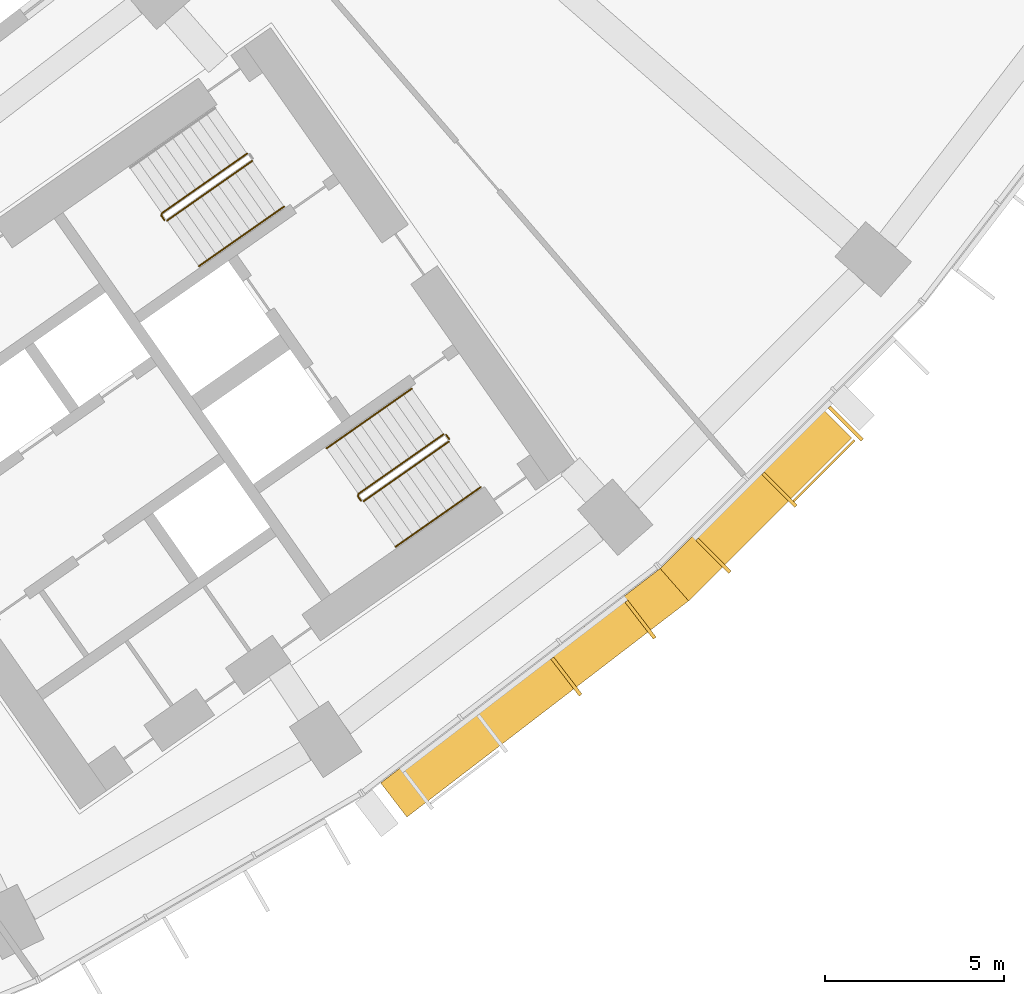
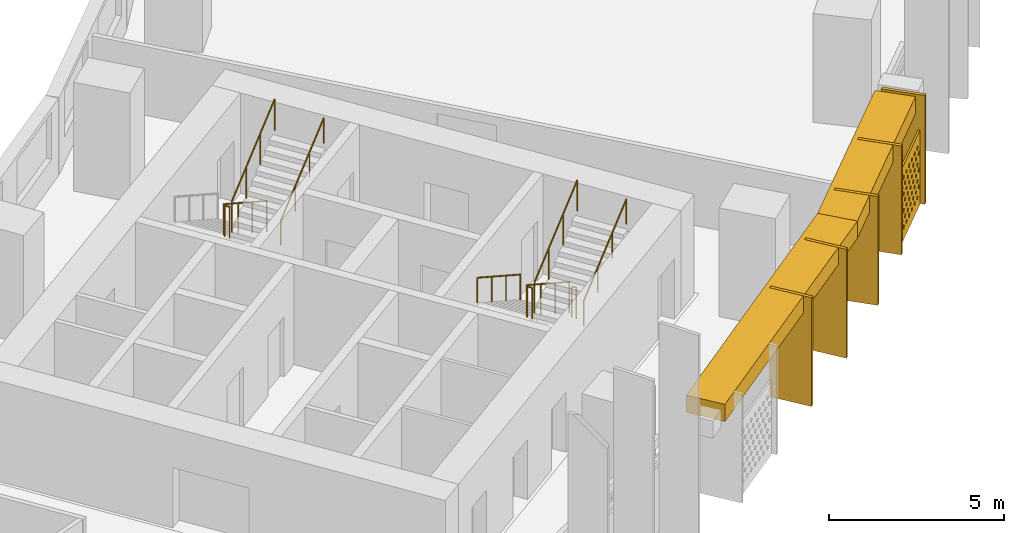
# One storey, part 30 of 31: 8 railings, 8 shading devices.
"""IFC4 building model written with IfcOpenShell, lengths in metres."""

from ifc_helpers import new_model, si_unit, direction, frame, origin, origin_2d, place, context, subcontext, project, spatial, polyline, rectangle, circle, outline, extrude, material, material_profile, profile_set, type_object, element, save


model = new_model("IFC4")

# Units and contexts
model_context = context("Model", 3, precision=1e-05, world=origin(), true_north=direction((0.0, 1.0)))
body_context = subcontext(model_context, "Body", "Model", "MODEL_VIEW")
ifc_project = project(units=[si_unit("LENGTHUNIT", "METRE"), si_unit("AREAUNIT", "SQUARE_METRE"), si_unit("VOLUMEUNIT", "CUBIC_METRE"), si_unit("PLANEANGLEUNIT", "RADIAN"), si_unit("MASSUNIT", "GRAM", prefix="KILO")], contexts=[model_context])

# Site, building, storey
site_placement = place(None, origin())
site = spatial("IfcSite", under=ifc_project, at=site_placement, CompositionType="ELEMENT")
building_placement = place(site_placement, origin())
building = spatial("IfcBuilding", under=site, at=building_placement, Name="Qamariyya Broadcast Tower", CompositionType="ELEMENT")
storey_placement = place(building_placement, frame((0.0, 0.0, 55.699951171875)))
storey = spatial("IfcBuildingStorey", under=building, at=storey_placement, Name="L10", CompositionType="ELEMENT", Elevation=55.699951171875)

# Shading devices
ifc_material_1 = material(Name="Steel S355 powder coated deep red", Category="steel")
shading_device_type_1 = type_object("IfcShadingDeviceType", Name="Deep red frame, powder coated steel box section", PredefinedType="USERDEFINED", material=ifc_material_1)
shading_device_1_placement = place(storey_placement, frame((0.0, 0.0, 3.199951171875)))
element("IfcShadingDevice", 1, at=shading_device_1_placement, inside=storey, type_object=shading_device_type_1, Name="e-frm-B1-F5-bot0", ObjectType="FRAME", PredefinedType="USERDEFINED", context=body_context, shape_type="SweptSolid", body=[
    extrude(outline(polyline([(44.727294921875, -65.861328125), (45.457763671875, -66.813232421875), (53.309814453125, -60.7880859375), (52.516845703125, -59.884033203125), (44.727294921875, -65.861328125)])), origin(), (0.0, 0.0, 1.0), 0.60009765625),
])
shading_device_2_placement = place(storey_placement, frame((0.0, 0.0, 3.199951171875)))
element("IfcShadingDevice", 2, at=shading_device_2_placement, inside=storey, type_object=shading_device_type_1, Name="e-frm-B1-F5-bot1", ObjectType="FRAME", PredefinedType="USERDEFINED", context=body_context, shape_type="SweptSolid", body=[
    extrude(outline(polyline([(52.516845703125, -59.884033203125), (53.309814453125, -60.7880859375), (57.8525390625, -56.245361328125), (57.004150390625, -55.39697265625), (52.516845703125, -59.884033203125)])), origin(), (0.0, 0.0, 1.0), 0.60009765625),
])
ifc_material_2 = material(Name="Perforated glazed terracotta", Category="masonry")
ifc_material_profile_1 = material_profile(ifc_material_2, outline(polyline([(-1.199951171875, -1.300048828125), (1.199951171875, -1.300048828125), (1.199951171875, 1.300048828125), (-1.199951171875, 1.300048828125), (-1.199951171875, -1.300048828125)]), holes=[polyline([(-0.81494140625, -0.86669921875), (-0.89990234375, -0.78173828125), (-0.985107421875, -0.86669921875), (-0.89990234375, -0.95166015625), (-0.81494140625, -0.86669921875)]), polyline([(-0.514892578125, -0.86669921875), (-0.60009765625, -0.78173828125), (-0.68505859375, -0.86669921875), (-0.60009765625, -0.95166015625), (-0.514892578125, -0.86669921875)]), polyline([(-0.215087890625, -0.86669921875), (-0.300048828125, -0.78173828125), (-0.385009765625, -0.86669921875), (-0.300048828125, -0.95166015625), (-0.215087890625, -0.86669921875)]), polyline([(0.0849609375, -0.86669921875), (0.0, -0.78173828125), (-0.0849609375, -0.86669921875), (0.0, -0.95166015625), (0.0849609375, -0.86669921875)]), polyline([(0.385009765625, -0.86669921875), (0.300048828125, -0.78173828125), (0.215087890625, -0.86669921875), (0.300048828125, -0.95166015625), (0.385009765625, -0.86669921875)]), polyline([(0.68505859375, -0.86669921875), (0.60009765625, -0.78173828125), (0.514892578125, -0.86669921875), (0.60009765625, -0.95166015625), (0.68505859375, -0.86669921875)]), polyline([(0.985107421875, -0.86669921875), (0.89990234375, -0.78173828125), (0.81494140625, -0.86669921875), (0.89990234375, -0.95166015625), (0.985107421875, -0.86669921875)]), polyline([(-0.965087890625, -0.577880859375), (-1.050048828125, -0.49267578125), (-1.135009765625, -0.577880859375), (-1.050048828125, -0.662841796875), (-0.965087890625, -0.577880859375)]), polyline([(-0.6650390625, -0.577880859375), (-0.75, -0.49267578125), (-0.8349609375, -0.577880859375), (-0.75, -0.662841796875), (-0.6650390625, -0.577880859375)]), polyline([(-0.364990234375, -0.577880859375), (-0.449951171875, -0.49267578125), (-0.534912109375, -0.577880859375), (-0.449951171875, -0.662841796875), (-0.364990234375, -0.577880859375)]), polyline([(-0.06494140625, -0.577880859375), (-0.14990234375, -0.49267578125), (-0.235107421875, -0.577880859375), (-0.14990234375, -0.662841796875), (-0.06494140625, -0.577880859375)]), polyline([(0.235107421875, -0.577880859375), (0.14990234375, -0.49267578125), (0.06494140625, -0.577880859375), (0.14990234375, -0.662841796875), (0.235107421875, -0.577880859375)]), polyline([(0.534912109375, -0.577880859375), (0.449951171875, -0.49267578125), (0.364990234375, -0.577880859375), (0.449951171875, -0.662841796875), (0.534912109375, -0.577880859375)]), polyline([(0.8349609375, -0.577880859375), (0.75, -0.49267578125), (0.6650390625, -0.577880859375), (0.75, -0.662841796875), (0.8349609375, -0.577880859375)]), polyline([(1.135009765625, -0.577880859375), (1.050048828125, -0.49267578125), (0.965087890625, -0.577880859375), (1.050048828125, -0.662841796875), (1.135009765625, -0.577880859375)]), polyline([(-0.81494140625, -0.288818359375), (-0.89990234375, -0.203857421875), (-0.985107421875, -0.288818359375), (-0.89990234375, -0.373779296875), (-0.81494140625, -0.288818359375)]), polyline([(-0.514892578125, -0.288818359375), (-0.60009765625, -0.203857421875), (-0.68505859375, -0.288818359375), (-0.60009765625, -0.373779296875), (-0.514892578125, -0.288818359375)]), polyline([(-0.215087890625, -0.288818359375), (-0.300048828125, -0.203857421875), (-0.385009765625, -0.288818359375), (-0.300048828125, -0.373779296875), (-0.215087890625, -0.288818359375)]), polyline([(0.0849609375, -0.288818359375), (0.0, -0.203857421875), (-0.0849609375, -0.288818359375), (0.0, -0.373779296875), (0.0849609375, -0.288818359375)]), polyline([(0.385009765625, -0.288818359375), (0.300048828125, -0.203857421875), (0.215087890625, -0.288818359375), (0.300048828125, -0.373779296875), (0.385009765625, -0.288818359375)]), polyline([(0.68505859375, -0.288818359375), (0.60009765625, -0.203857421875), (0.514892578125, -0.288818359375), (0.60009765625, -0.373779296875), (0.68505859375, -0.288818359375)]), polyline([(0.985107421875, -0.288818359375), (0.89990234375, -0.203857421875), (0.81494140625, -0.288818359375), (0.89990234375, -0.373779296875), (0.985107421875, -0.288818359375)]), polyline([(-0.965087890625, 0.0), (-1.050048828125, 0.0849609375), (-1.135009765625, 0.0), (-1.050048828125, -0.0849609375), (-0.965087890625, 0.0)]), polyline([(-0.6650390625, 0.0), (-0.75, 0.0849609375), (-0.8349609375, 0.0), (-0.75, -0.0849609375), (-0.6650390625, 0.0)]), polyline([(-0.364990234375, 0.0), (-0.449951171875, 0.0849609375), (-0.534912109375, 0.0), (-0.449951171875, -0.0849609375), (-0.364990234375, 0.0)]), polyline([(-0.06494140625, 0.0), (-0.14990234375, 0.0849609375), (-0.235107421875, 0.0), (-0.14990234375, -0.0849609375), (-0.06494140625, 0.0)]), polyline([(0.235107421875, 0.0), (0.14990234375, 0.0849609375), (0.06494140625, 0.0), (0.14990234375, -0.0849609375), (0.235107421875, 0.0)]), polyline([(0.534912109375, 0.0), (0.449951171875, 0.0849609375), (0.364990234375, 0.0), (0.449951171875, -0.0849609375), (0.534912109375, 0.0)]), polyline([(0.8349609375, 0.0), (0.75, 0.0849609375), (0.6650390625, 0.0), (0.75, -0.0849609375), (0.8349609375, 0.0)]), polyline([(1.135009765625, 0.0), (1.050048828125, 0.0849609375), (0.965087890625, 0.0), (1.050048828125, -0.0849609375), (1.135009765625, 0.0)]), polyline([(-0.81494140625, 0.288818359375), (-0.89990234375, 0.373779296875), (-0.985107421875, 0.288818359375), (-0.89990234375, 0.203857421875), (-0.81494140625, 0.288818359375)]), polyline([(-0.514892578125, 0.288818359375), (-0.60009765625, 0.373779296875), (-0.68505859375, 0.288818359375), (-0.60009765625, 0.203857421875), (-0.514892578125, 0.288818359375)]), polyline([(-0.215087890625, 0.288818359375), (-0.300048828125, 0.373779296875), (-0.385009765625, 0.288818359375), (-0.300048828125, 0.203857421875), (-0.215087890625, 0.288818359375)]), polyline([(0.0849609375, 0.288818359375), (0.0, 0.373779296875), (-0.0849609375, 0.288818359375), (0.0, 0.203857421875), (0.0849609375, 0.288818359375)]), polyline([(0.385009765625, 0.288818359375), (0.300048828125, 0.373779296875), (0.215087890625, 0.288818359375), (0.300048828125, 0.203857421875), (0.385009765625, 0.288818359375)]), polyline([(0.68505859375, 0.288818359375), (0.60009765625, 0.373779296875), (0.514892578125, 0.288818359375), (0.60009765625, 0.203857421875), (0.68505859375, 0.288818359375)]), polyline([(0.985107421875, 0.288818359375), (0.89990234375, 0.373779296875), (0.81494140625, 0.288818359375), (0.89990234375, 0.203857421875), (0.985107421875, 0.288818359375)]), polyline([(-0.965087890625, 0.577880859375), (-1.050048828125, 0.662841796875), (-1.135009765625, 0.577880859375), (-1.050048828125, 0.49267578125), (-0.965087890625, 0.577880859375)]), polyline([(-0.6650390625, 0.577880859375), (-0.75, 0.662841796875), (-0.8349609375, 0.577880859375), (-0.75, 0.49267578125), (-0.6650390625, 0.577880859375)]), polyline([(-0.364990234375, 0.577880859375), (-0.449951171875, 0.662841796875), (-0.534912109375, 0.577880859375), (-0.449951171875, 0.49267578125), (-0.364990234375, 0.577880859375)]), polyline([(-0.06494140625, 0.577880859375), (-0.14990234375, 0.662841796875), (-0.235107421875, 0.577880859375), (-0.14990234375, 0.49267578125), (-0.06494140625, 0.577880859375)]), polyline([(0.235107421875, 0.577880859375), (0.14990234375, 0.662841796875), (0.06494140625, 0.577880859375), (0.14990234375, 0.49267578125), (0.235107421875, 0.577880859375)]), polyline([(0.534912109375, 0.577880859375), (0.449951171875, 0.662841796875), (0.364990234375, 0.577880859375), (0.449951171875, 0.49267578125), (0.534912109375, 0.577880859375)]), polyline([(0.8349609375, 0.577880859375), (0.75, 0.662841796875), (0.6650390625, 0.577880859375), (0.75, 0.49267578125), (0.8349609375, 0.577880859375)]), polyline([(1.135009765625, 0.577880859375), (1.050048828125, 0.662841796875), (0.965087890625, 0.577880859375), (1.050048828125, 0.49267578125), (1.135009765625, 0.577880859375)]), polyline([(-0.81494140625, 0.86669921875), (-0.89990234375, 0.95166015625), (-0.985107421875, 0.86669921875), (-0.89990234375, 0.78173828125), (-0.81494140625, 0.86669921875)]), polyline([(-0.514892578125, 0.86669921875), (-0.60009765625, 0.95166015625), (-0.68505859375, 0.86669921875), (-0.60009765625, 0.78173828125), (-0.514892578125, 0.86669921875)]), polyline([(-0.215087890625, 0.86669921875), (-0.300048828125, 0.95166015625), (-0.385009765625, 0.86669921875), (-0.300048828125, 0.78173828125), (-0.215087890625, 0.86669921875)]), polyline([(0.0849609375, 0.86669921875), (0.0, 0.95166015625), (-0.0849609375, 0.86669921875), (0.0, 0.78173828125), (0.0849609375, 0.86669921875)]), polyline([(0.385009765625, 0.86669921875), (0.300048828125, 0.95166015625), (0.215087890625, 0.86669921875), (0.300048828125, 0.78173828125), (0.385009765625, 0.86669921875)]), polyline([(0.68505859375, 0.86669921875), (0.60009765625, 0.95166015625), (0.514892578125, 0.86669921875), (0.60009765625, 0.78173828125), (0.68505859375, 0.86669921875)]), polyline([(0.985107421875, 0.86669921875), (0.89990234375, 0.95166015625), (0.81494140625, 0.86669921875), (0.89990234375, 0.78173828125), (0.985107421875, 0.86669921875)])]))
ifc_profile_set_1 = profile_set([ifc_material_profile_1], Name="Perforated glazed terracotta")
shading_device_type_2 = type_object("IfcShadingDeviceType", Name="Perforated terracotta screen 2400 x 2600", PredefinedType="USERDEFINED", material=ifc_profile_set_1)
shading_device_3_placement = place(storey_placement, frame((57.0615234375, -57.135498046875, 1.35009765625), z_axis=(0.707106781187, -0.707106781187, 0.0), x_axis=(0.707106781187, 0.707106781187, 0.0)))
element("IfcShadingDevice", 3, at=shading_device_3_placement, inside=storey, type_object=shading_device_type_2, Name="e-scr-L10-14-1", ObjectType="SCREEN", PredefinedType="USERDEFINED", context=body_context, shape_type="SweptSolid", body=[
    extrude(outline(polyline([(-1.199951171875, -1.300048828125), (1.199951171875, -1.300048828125), (1.199951171875, 1.300048828125), (-1.199951171875, 1.300048828125), (-1.199951171875, -1.300048828125)]), holes=[polyline([(-0.81494140625, -0.86669921875), (-0.89990234375, -0.78173828125), (-0.985107421875, -0.86669921875), (-0.89990234375, -0.95166015625), (-0.81494140625, -0.86669921875)]), polyline([(-0.514892578125, -0.86669921875), (-0.60009765625, -0.78173828125), (-0.68505859375, -0.86669921875), (-0.60009765625, -0.95166015625), (-0.514892578125, -0.86669921875)]), polyline([(-0.215087890625, -0.86669921875), (-0.300048828125, -0.78173828125), (-0.385009765625, -0.86669921875), (-0.300048828125, -0.95166015625), (-0.215087890625, -0.86669921875)]), polyline([(0.0849609375, -0.86669921875), (0.0, -0.78173828125), (-0.0849609375, -0.86669921875), (0.0, -0.95166015625), (0.0849609375, -0.86669921875)]), polyline([(0.385009765625, -0.86669921875), (0.300048828125, -0.78173828125), (0.215087890625, -0.86669921875), (0.300048828125, -0.95166015625), (0.385009765625, -0.86669921875)]), polyline([(0.68505859375, -0.86669921875), (0.60009765625, -0.78173828125), (0.514892578125, -0.86669921875), (0.60009765625, -0.95166015625), (0.68505859375, -0.86669921875)]), polyline([(0.985107421875, -0.86669921875), (0.89990234375, -0.78173828125), (0.81494140625, -0.86669921875), (0.89990234375, -0.95166015625), (0.985107421875, -0.86669921875)]), polyline([(-0.965087890625, -0.577880859375), (-1.050048828125, -0.49267578125), (-1.135009765625, -0.577880859375), (-1.050048828125, -0.662841796875), (-0.965087890625, -0.577880859375)]), polyline([(-0.6650390625, -0.577880859375), (-0.75, -0.49267578125), (-0.8349609375, -0.577880859375), (-0.75, -0.662841796875), (-0.6650390625, -0.577880859375)]), polyline([(-0.364990234375, -0.577880859375), (-0.449951171875, -0.49267578125), (-0.534912109375, -0.577880859375), (-0.449951171875, -0.662841796875), (-0.364990234375, -0.577880859375)]), polyline([(-0.06494140625, -0.577880859375), (-0.14990234375, -0.49267578125), (-0.235107421875, -0.577880859375), (-0.14990234375, -0.662841796875), (-0.06494140625, -0.577880859375)]), polyline([(0.235107421875, -0.577880859375), (0.14990234375, -0.49267578125), (0.06494140625, -0.577880859375), (0.14990234375, -0.662841796875), (0.235107421875, -0.577880859375)]), polyline([(0.534912109375, -0.577880859375), (0.449951171875, -0.49267578125), (0.364990234375, -0.577880859375), (0.449951171875, -0.662841796875), (0.534912109375, -0.577880859375)]), polyline([(0.8349609375, -0.577880859375), (0.75, -0.49267578125), (0.6650390625, -0.577880859375), (0.75, -0.662841796875), (0.8349609375, -0.577880859375)]), polyline([(1.135009765625, -0.577880859375), (1.050048828125, -0.49267578125), (0.965087890625, -0.577880859375), (1.050048828125, -0.662841796875), (1.135009765625, -0.577880859375)]), polyline([(-0.81494140625, -0.288818359375), (-0.89990234375, -0.203857421875), (-0.985107421875, -0.288818359375), (-0.89990234375, -0.373779296875), (-0.81494140625, -0.288818359375)]), polyline([(-0.514892578125, -0.288818359375), (-0.60009765625, -0.203857421875), (-0.68505859375, -0.288818359375), (-0.60009765625, -0.373779296875), (-0.514892578125, -0.288818359375)]), polyline([(-0.215087890625, -0.288818359375), (-0.300048828125, -0.203857421875), (-0.385009765625, -0.288818359375), (-0.300048828125, -0.373779296875), (-0.215087890625, -0.288818359375)]), polyline([(0.0849609375, -0.288818359375), (0.0, -0.203857421875), (-0.0849609375, -0.288818359375), (0.0, -0.373779296875), (0.0849609375, -0.288818359375)]), polyline([(0.385009765625, -0.288818359375), (0.300048828125, -0.203857421875), (0.215087890625, -0.288818359375), (0.300048828125, -0.373779296875), (0.385009765625, -0.288818359375)]), polyline([(0.68505859375, -0.288818359375), (0.60009765625, -0.203857421875), (0.514892578125, -0.288818359375), (0.60009765625, -0.373779296875), (0.68505859375, -0.288818359375)]), polyline([(0.985107421875, -0.288818359375), (0.89990234375, -0.203857421875), (0.81494140625, -0.288818359375), (0.89990234375, -0.373779296875), (0.985107421875, -0.288818359375)]), polyline([(-0.965087890625, 0.0), (-1.050048828125, 0.0849609375), (-1.135009765625, 0.0), (-1.050048828125, -0.0849609375), (-0.965087890625, 0.0)]), polyline([(-0.6650390625, 0.0), (-0.75, 0.0849609375), (-0.8349609375, 0.0), (-0.75, -0.0849609375), (-0.6650390625, 0.0)]), polyline([(-0.364990234375, 0.0), (-0.449951171875, 0.0849609375), (-0.534912109375, 0.0), (-0.449951171875, -0.0849609375), (-0.364990234375, 0.0)]), polyline([(-0.06494140625, 0.0), (-0.14990234375, 0.0849609375), (-0.235107421875, 0.0), (-0.14990234375, -0.0849609375), (-0.06494140625, 0.0)]), polyline([(0.235107421875, 0.0), (0.14990234375, 0.0849609375), (0.06494140625, 0.0), (0.14990234375, -0.0849609375), (0.235107421875, 0.0)]), polyline([(0.534912109375, 0.0), (0.449951171875, 0.0849609375), (0.364990234375, 0.0), (0.449951171875, -0.0849609375), (0.534912109375, 0.0)]), polyline([(0.8349609375, 0.0), (0.75, 0.0849609375), (0.6650390625, 0.0), (0.75, -0.0849609375), (0.8349609375, 0.0)]), polyline([(1.135009765625, 0.0), (1.050048828125, 0.0849609375), (0.965087890625, 0.0), (1.050048828125, -0.0849609375), (1.135009765625, 0.0)]), polyline([(-0.81494140625, 0.288818359375), (-0.89990234375, 0.373779296875), (-0.985107421875, 0.288818359375), (-0.89990234375, 0.203857421875), (-0.81494140625, 0.288818359375)]), polyline([(-0.514892578125, 0.288818359375), (-0.60009765625, 0.373779296875), (-0.68505859375, 0.288818359375), (-0.60009765625, 0.203857421875), (-0.514892578125, 0.288818359375)]), polyline([(-0.215087890625, 0.288818359375), (-0.300048828125, 0.373779296875), (-0.385009765625, 0.288818359375), (-0.300048828125, 0.203857421875), (-0.215087890625, 0.288818359375)]), polyline([(0.0849609375, 0.288818359375), (0.0, 0.373779296875), (-0.0849609375, 0.288818359375), (0.0, 0.203857421875), (0.0849609375, 0.288818359375)]), polyline([(0.385009765625, 0.288818359375), (0.300048828125, 0.373779296875), (0.215087890625, 0.288818359375), (0.300048828125, 0.203857421875), (0.385009765625, 0.288818359375)]), polyline([(0.68505859375, 0.288818359375), (0.60009765625, 0.373779296875), (0.514892578125, 0.288818359375), (0.60009765625, 0.203857421875), (0.68505859375, 0.288818359375)]), polyline([(0.985107421875, 0.288818359375), (0.89990234375, 0.373779296875), (0.81494140625, 0.288818359375), (0.89990234375, 0.203857421875), (0.985107421875, 0.288818359375)]), polyline([(-0.965087890625, 0.577880859375), (-1.050048828125, 0.662841796875), (-1.135009765625, 0.577880859375), (-1.050048828125, 0.49267578125), (-0.965087890625, 0.577880859375)]), polyline([(-0.6650390625, 0.577880859375), (-0.75, 0.662841796875), (-0.8349609375, 0.577880859375), (-0.75, 0.49267578125), (-0.6650390625, 0.577880859375)]), polyline([(-0.364990234375, 0.577880859375), (-0.449951171875, 0.662841796875), (-0.534912109375, 0.577880859375), (-0.449951171875, 0.49267578125), (-0.364990234375, 0.577880859375)]), polyline([(-0.06494140625, 0.577880859375), (-0.14990234375, 0.662841796875), (-0.235107421875, 0.577880859375), (-0.14990234375, 0.49267578125), (-0.06494140625, 0.577880859375)]), polyline([(0.235107421875, 0.577880859375), (0.14990234375, 0.662841796875), (0.06494140625, 0.577880859375), (0.14990234375, 0.49267578125), (0.235107421875, 0.577880859375)]), polyline([(0.534912109375, 0.577880859375), (0.449951171875, 0.662841796875), (0.364990234375, 0.577880859375), (0.449951171875, 0.49267578125), (0.534912109375, 0.577880859375)]), polyline([(0.8349609375, 0.577880859375), (0.75, 0.662841796875), (0.6650390625, 0.577880859375), (0.75, 0.49267578125), (0.8349609375, 0.577880859375)]), polyline([(1.135009765625, 0.577880859375), (1.050048828125, 0.662841796875), (0.965087890625, 0.577880859375), (1.050048828125, 0.49267578125), (1.135009765625, 0.577880859375)]), polyline([(-0.81494140625, 0.86669921875), (-0.89990234375, 0.95166015625), (-0.985107421875, 0.86669921875), (-0.89990234375, 0.78173828125), (-0.81494140625, 0.86669921875)]), polyline([(-0.514892578125, 0.86669921875), (-0.60009765625, 0.95166015625), (-0.68505859375, 0.86669921875), (-0.60009765625, 0.78173828125), (-0.514892578125, 0.86669921875)]), polyline([(-0.215087890625, 0.86669921875), (-0.300048828125, 0.95166015625), (-0.385009765625, 0.86669921875), (-0.300048828125, 0.78173828125), (-0.215087890625, 0.86669921875)]), polyline([(0.0849609375, 0.86669921875), (0.0, 0.95166015625), (-0.0849609375, 0.86669921875), (0.0, 0.78173828125), (0.0849609375, 0.86669921875)]), polyline([(0.385009765625, 0.86669921875), (0.300048828125, 0.95166015625), (0.215087890625, 0.86669921875), (0.300048828125, 0.78173828125), (0.385009765625, 0.86669921875)]), polyline([(0.68505859375, 0.86669921875), (0.60009765625, 0.95166015625), (0.514892578125, 0.86669921875), (0.60009765625, 0.78173828125), (0.68505859375, 0.86669921875)]), polyline([(0.985107421875, 0.86669921875), (0.89990234375, 0.95166015625), (0.81494140625, 0.86669921875), (0.89990234375, 0.78173828125), (0.985107421875, 0.86669921875)])]), origin(), (0.0, 0.0, 1.0), 0.06005859375),
])

# Railings
ifc_material_3 = material(Name="Painted steel", Category="steel")
railing_type_1 = type_object("IfcRailingType", Name="Stair guard", PredefinedType="GUARDRAIL", material=ifc_material_3)
railing_1_placement = place(storey_placement, frame((41.003173828125, -48.320068359375, 0.1728515625)))
element("IfcRailing", 4, at=railing_1_placement, inside=storey, type_object=railing_type_1, Name="L10 ST-E2 stair guard 1", PredefinedType="GUARDRAIL", context=body_context, shape_type="SweptSolid", body=[
    extrude(circle(Radius=0.02392578125, at=origin_2d()), frame((0.0, 0.0, 1.076171875), z_axis=(-0.703770094002, -0.492783725636, 0.511734163933), x_axis=(0.573575343427, -0.819152809562, 0.0)), (0.0, 0.0, 1.0), 3.37548828125),
    extrude(circle(Radius=0.02392578125, at=origin_2d()), frame((-2.37548828125, -1.663330078125, 2.80322265625), z_axis=(-0.172799478008, -0.984957024646, 0.0), x_axis=(0.984957024646, -0.172799478008, 0.0)), (0.0, 0.0, 1.0), 0.070556640625),
    extrude(circle(Radius=0.02392578125, at=origin_2d()), frame((-2.3876953125, -1.73291015625, 2.80322265625), z_axis=(0.572588637393, -0.819842821722, 0.0), x_axis=(0.819842821722, 0.572588637393, 0.0)), (0.0, 0.0, 1.0), 0.150146484375),
    extrude(circle(Radius=0.02099609375, at=origin_2d()), origin(), (0.0, 0.0, 1.0), 1.052001953125),
    extrude(circle(Radius=0.02099609375, at=origin_2d()), frame((-0.791748046875, -0.554443359375, 0.57568359375)), (0.0, 0.0, 1.0), 1.052001953125),
    extrude(circle(Radius=0.02099609375, at=origin_2d()), frame((-1.583740234375, -1.10888671875, 1.151611328125)), (0.0, 0.0, 1.0), 1.052001953125),
    extrude(circle(Radius=0.02099609375, at=origin_2d()), frame((-2.37548828125, -1.663330078125, 1.727294921875)), (0.0, 0.0, 1.0), 1.052001953125),
    extrude(circle(Radius=0.02099609375, at=origin_2d()), frame((-2.3876953125, -1.73291015625, 1.727294921875)), (0.0, 0.0, 1.0), 1.052001953125),
    extrude(circle(Radius=0.02099609375, at=origin_2d()), frame((-2.3017578125, -1.85595703125, 1.727294921875)), (0.0, 0.0, 1.0), 1.052001953125),
])
railing_2_placement = place(storey_placement, frame((38.771240234375, -50.188232421875, 2.07275390625)))
element("IfcRailing", 5, at=railing_2_placement, inside=storey, type_object=railing_type_1, Name="L10 ST-E2 stair guard 2", PredefinedType="GUARDRAIL", context=body_context, shape_type="SweptSolid", body=[
    extrude(circle(Radius=0.02392578125, at=origin_2d()), frame((0.0, 0.0, 1.076171875), z_axis=(0.703770094002, 0.492783725636, 0.511734163933), x_axis=(-0.573575343427, 0.819152809562, 0.0)), (0.0, 0.0, 1.0), 3.37548828125),
    extrude(circle(Radius=0.02099609375, at=origin_2d()), origin(), (0.0, 0.0, 1.0), 1.052001953125),
    extrude(circle(Radius=0.02099609375, at=origin_2d()), frame((0.791748046875, 0.554443359375, 0.57568359375)), (0.0, 0.0, 1.0), 1.052001953125),
    extrude(circle(Radius=0.02099609375, at=origin_2d()), frame((1.583740234375, 1.10888671875, 1.151611328125)), (0.0, 0.0, 1.0), 1.052001953125),
    extrude(circle(Radius=0.02099609375, at=origin_2d()), frame((2.37548828125, 1.663330078125, 1.727294921875)), (0.0, 0.0, 1.0), 1.052001953125),
])
railing_3_placement = place(storey_placement, frame((46.48095703125, -56.14306640625, 0.1728515625)))
element("IfcRailing", 6, at=railing_3_placement, inside=storey, type_object=railing_type_1, Name="L10 ST-E1 stair guard 1", PredefinedType="GUARDRAIL", context=body_context, shape_type="SweptSolid", body=[
    extrude(circle(Radius=0.02392578125, at=origin_2d()), frame((0.0, 0.0, 1.076171875), z_axis=(-0.703770094002, -0.492783725636, 0.511734163933), x_axis=(0.573575343427, -0.819152809562, 0.0)), (0.0, 0.0, 1.0), 3.37548828125),
    extrude(circle(Radius=0.02392578125, at=origin_2d()), frame((-2.37548828125, -1.663330078125, 2.80322265625), z_axis=(-0.176149252506, -0.984363469884, 0.0), x_axis=(0.984363469884, -0.176149252506, 0.0)), (0.0, 0.0, 1.0), 0.07080078125),
    extrude(circle(Radius=0.02392578125, at=origin_2d()), frame((-2.387939453125, -1.73291015625, 2.80322265625), z_axis=(0.574444878118, -0.818543268254, 0.0), x_axis=(0.818543268254, 0.574444878118, 0.0)), (0.0, 0.0, 1.0), 0.150146484375),
    extrude(circle(Radius=0.02099609375, at=origin_2d()), origin(), (0.0, 0.0, 1.0), 1.052001953125),
    extrude(circle(Radius=0.02099609375, at=origin_2d()), frame((-0.791748046875, -0.554443359375, 0.57568359375)), (0.0, 0.0, 1.0), 1.052001953125),
    extrude(circle(Radius=0.02099609375, at=origin_2d()), frame((-1.583740234375, -1.10888671875, 1.151611328125)), (0.0, 0.0, 1.0), 1.052001953125),
    extrude(circle(Radius=0.02099609375, at=origin_2d()), frame((-2.37548828125, -1.663330078125, 1.727294921875)), (0.0, 0.0, 1.0), 1.052001953125),
    extrude(circle(Radius=0.02099609375, at=origin_2d()), frame((-2.387939453125, -1.73291015625, 1.727294921875)), (0.0, 0.0, 1.0), 1.052001953125),
    extrude(circle(Radius=0.02099609375, at=origin_2d()), frame((-2.3017578125, -1.855712890625, 1.727294921875)), (0.0, 0.0, 1.0), 1.052001953125),
])
railing_4_placement = place(storey_placement, frame((44.248779296875, -58.01123046875, 2.07275390625)))
element("IfcRailing", 7, at=railing_4_placement, inside=storey, type_object=railing_type_1, Name="L10 ST-E1 stair guard 2", PredefinedType="GUARDRAIL", context=body_context, shape_type="SweptSolid", body=[
    extrude(circle(Radius=0.02392578125, at=origin_2d()), frame((0.0, 0.0, 1.076171875), z_axis=(0.703745009021, 0.492838488332, 0.511715923826), x_axis=(-0.573631830683, 0.819113253969, 0.0)), (0.0, 0.0, 1.0), 3.37548828125),
    extrude(circle(Radius=0.02099609375, at=origin_2d()), origin(), (0.0, 0.0, 1.0), 1.052001953125),
    extrude(circle(Radius=0.02099609375, at=origin_2d()), frame((0.791748046875, 0.554443359375, 0.57568359375)), (0.0, 0.0, 1.0), 1.052001953125),
    extrude(circle(Radius=0.02099609375, at=origin_2d()), frame((1.583740234375, 1.109130859375, 1.151611328125)), (0.0, 0.0, 1.0), 1.052001953125),
    extrude(circle(Radius=0.02099609375, at=origin_2d()), frame((2.37548828125, 1.66357421875, 1.727294921875)), (0.0, 0.0, 1.0), 1.052001953125),
])
railing_5_placement = place(storey_placement, frame((46.550537109375, -56.1552734375, 0.0)))
element("IfcRailing", 8, at=railing_5_placement, inside=storey, type_object=railing_type_1, Name="L10 ST-E1 stair guard 3", PredefinedType="GUARDRAIL", context=body_context, shape_type="SweptSolid", body=[
    extrude(circle(Radius=0.02392578125, at=origin_2d()), frame((0.0, 0.0, 1.076171875), z_axis=(0.574444878118, -0.818543268254, 0.0), x_axis=(0.818543268254, 0.574444878118, 0.0)), (0.0, 0.0, 1.0), 0.150146484375),
    extrude(circle(Radius=0.02099609375, at=origin_2d()), origin(), (0.0, 0.0, 1.0), 1.052001953125),
    extrude(circle(Radius=0.02099609375, at=origin_2d()), frame((0.086181640625, -0.122802734375, 0.0)), (0.0, 0.0, 1.0), 1.052001953125),
])
ifc_material_4 = material(Name="Stainless steel", Category="steel")
railing_type_2 = type_object("IfcRailingType", Name="Stair handrail", PredefinedType="HANDRAIL", material=ifc_material_4)
railing_6_placement = place(storey_placement, frame((39.66015625, -51.4580078125, 2.07275390625)))
element("IfcRailing", 9, at=railing_6_placement, inside=storey, type_object=railing_type_2, Name="L10 ST-E2 stair handrail 2", PredefinedType="HANDRAIL", context=body_context, shape_type="SweptSolid", body=[
    extrude(circle(Radius=0.02392578125, at=origin_2d()), frame((0.0, 0.0, 0.8759765625), z_axis=(0.703745009021, 0.492838488332, 0.511715923826), x_axis=(-0.573631830683, 0.819113253969, 0.0)), (0.0, 0.0, 1.0), 3.37548828125),
    extrude(circle(Radius=0.02099609375, at=origin_2d()), origin(), (0.0, 0.0, 1.0), 0.851806640625),
    extrude(circle(Radius=0.02099609375, at=origin_2d()), frame((0.791748046875, 0.554443359375, 0.57568359375)), (0.0, 0.0, 1.0), 0.851806640625),
    extrude(circle(Radius=0.02099609375, at=origin_2d()), frame((1.583740234375, 1.109130859375, 1.151611328125)), (0.0, 0.0, 1.0), 0.851806640625),
    extrude(circle(Radius=0.02099609375, at=origin_2d()), frame((2.37548828125, 1.66357421875, 1.727294921875)), (0.0, 0.0, 1.0), 0.851806640625),
])
railing_7_placement = place(storey_placement, frame((45.591796875, -54.873291015625, 0.1728515625)))
element("IfcRailing", 10, at=railing_7_placement, inside=storey, type_object=railing_type_2, Name="L10 ST-E1 stair handrail 1", PredefinedType="HANDRAIL", context=body_context, shape_type="SweptSolid", body=[
    extrude(circle(Radius=0.02392578125, at=origin_2d()), frame((0.0, 0.0, 0.8759765625), z_axis=(-0.703770094002, -0.492783725636, 0.511734163933), x_axis=(0.573575343427, -0.819152809562, 0.0)), (0.0, 0.0, 1.0), 3.37548828125),
    extrude(circle(Radius=0.02099609375, at=origin_2d()), origin(), (0.0, 0.0, 1.0), 0.851806640625),
    extrude(circle(Radius=0.02099609375, at=origin_2d()), frame((-0.791748046875, -0.554443359375, 0.57568359375)), (0.0, 0.0, 1.0), 0.851806640625),
    extrude(circle(Radius=0.02099609375, at=origin_2d()), frame((-1.583740234375, -1.10888671875, 1.151611328125)), (0.0, 0.0, 1.0), 0.851806640625),
    extrude(circle(Radius=0.02099609375, at=origin_2d()), frame((-2.37548828125, -1.663330078125, 1.727294921875)), (0.0, 0.0, 1.0), 0.851806640625),
])
railing_8_placement = place(storey_placement, frame((45.137939453125, -59.28076171875, 2.07275390625)))
element("IfcRailing", 11, at=railing_8_placement, inside=storey, type_object=railing_type_2, Name="L10 ST-E1 stair handrail 2", PredefinedType="HANDRAIL", context=body_context, shape_type="SweptSolid", body=[
    extrude(circle(Radius=0.02392578125, at=origin_2d()), frame((0.0, 0.0, 0.8759765625), z_axis=(0.703770094002, 0.492783725636, 0.511734163933), x_axis=(-0.573575343427, 0.819152809562, 0.0)), (0.0, 0.0, 1.0), 3.37548828125),
    extrude(circle(Radius=0.02099609375, at=origin_2d()), origin(), (0.0, 0.0, 1.0), 0.851806640625),
    extrude(circle(Radius=0.02099609375, at=origin_2d()), frame((0.791748046875, 0.554443359375, 0.57568359375)), (0.0, 0.0, 1.0), 0.851806640625),
    extrude(circle(Radius=0.02099609375, at=origin_2d()), frame((1.583740234375, 1.10888671875, 1.151611328125)), (0.0, 0.0, 1.0), 0.851806640625),
    extrude(circle(Radius=0.02099609375, at=origin_2d()), frame((2.37548828125, 1.663330078125, 1.727294921875)), (0.0, 0.0, 1.0), 0.851806640625),
])

# Shading devices
ifc_material_5 = material(Name="Glazed terracotta", Category="masonry")
ifc_material_profile_2 = material_profile(ifc_material_5, rectangle(XDim=1.300048828125, YDim=0.10009765625, at=origin_2d()))
ifc_profile_set_2 = profile_set([ifc_material_profile_2], Name="Glazed terracotta")
shading_device_type_3 = type_object("IfcShadingDeviceType", Name="Terracotta fin 100 x 1300", PredefinedType="USERDEFINED", material=ifc_profile_set_2)
for number, where, z_axis, x_axis, name in (
    (12, (49.904296875, -62.897216796875, 0.0), (0.0, 0.0, 1.0), (0.608761429009, -0.793353340291, 0.0), "e-fin-L10-13-2"),
    (13, (51.970703125, -61.3115234375, 0.0), (0.0, 0.0, 1.0), (0.608761429009, -0.793353340291, 0.0), "e-fin-L10-13-3"),
    (14, (54.00341796875, -59.52880859375, 0.0), (0.0, 0.0, 1.0), (0.707106781187, -0.707106781187, 0.0), "e-fin-L10-14-0"),
    (15, (55.84521484375, -57.68701171875, 0.0), (0.0, 0.0, 1.0), (0.707106781187, -0.707106781187, 0.0), "e-fin-L10-14-1"),
    (16, (57.68701171875, -55.84521484375, 0.0), (0.0, 0.0, 1.0), (0.707106781187, -0.707106781187, 0.0), "e-fin-L10-14-2"),
):
    element("IfcShadingDevice", number, at=place(storey_placement, frame(where, z_axis=z_axis, x_axis=x_axis)), inside=storey, type_object=shading_device_type_3, Name=name, ObjectType="FIN", PredefinedType="USERDEFINED", context=body_context, shape_type="SweptSolid", body=[
        extrude(rectangle(XDim=1.300048828125, YDim=0.10009765625, at=origin_2d()), origin(), (0.0, 0.0, 1.0), 3.800048828125),
    ])

save(model, "model.ifc")
